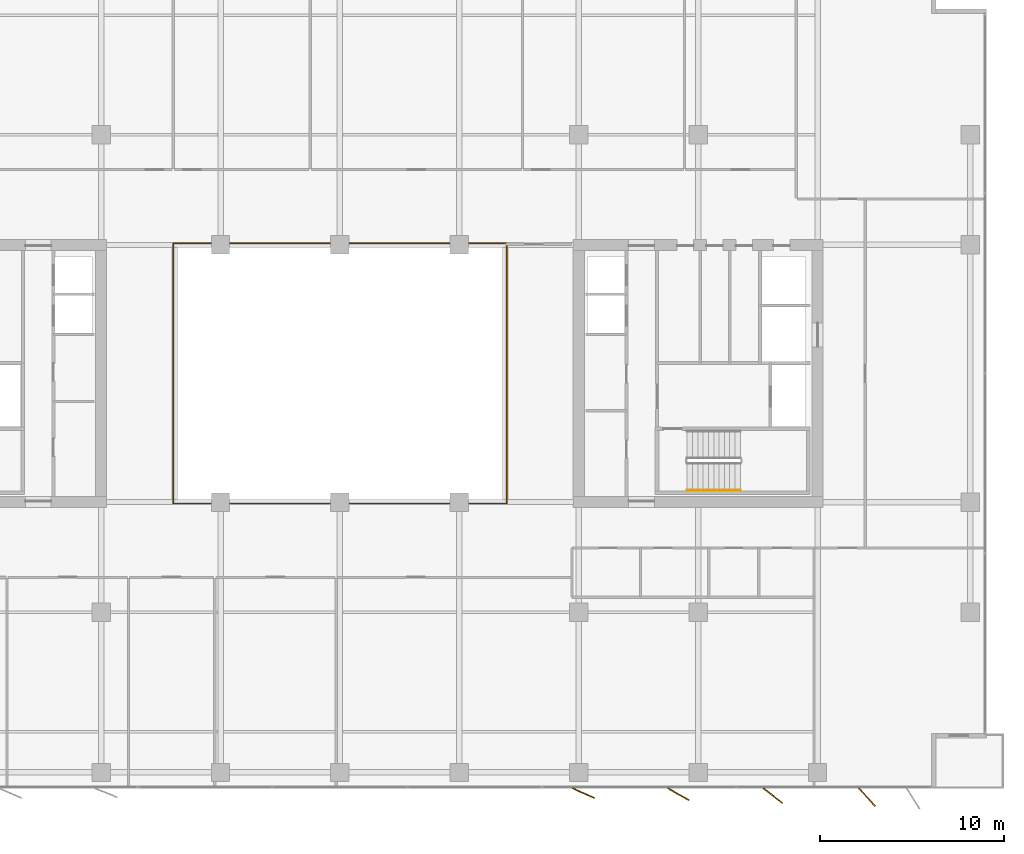
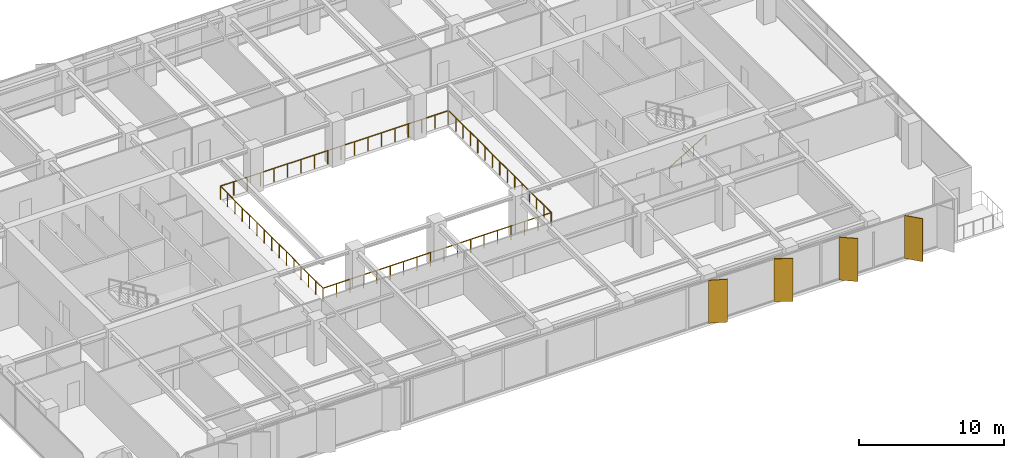
# One storey, part 20 of 22: 4 shading devices, 3 railings.
"""IFC4 building model written with IfcOpenShell, lengths in metres."""

from ifc_helpers import new_model, si_unit, direction, frame, origin, origin_2d, place, context, subcontext, project, spatial, rectangle, circle, extrude, material, layer, layer_set, type_object, element, save


model = new_model("IFC4")

# Units and contexts
model_context = context("Model", 3, precision=1e-05, world=origin(), true_north=direction((0.0, 1.0)))
body_context = subcontext(model_context, "Body", "Model", "MODEL_VIEW")
ifc_project = project(units=[si_unit("LENGTHUNIT", "METRE"), si_unit("AREAUNIT", "SQUARE_METRE"), si_unit("VOLUMEUNIT", "CUBIC_METRE"), si_unit("PLANEANGLEUNIT", "RADIAN"), si_unit("MASSUNIT", "GRAM", prefix="KILO")], contexts=[model_context])

# Site, building, storey
site_placement = place(None, origin())
site = spatial("IfcSite", under=ifc_project, at=site_placement, CompositionType="ELEMENT")
building_placement = place(site_placement, origin())
building = spatial("IfcBuilding", under=site, at=building_placement, Name="Putna Gate Headquarters", CompositionType="ELEMENT")
storey_placement = place(building_placement, frame((0.0, 0.0, 174.60009765625)))
storey = spatial("IfcBuildingStorey", under=building, at=storey_placement, Name="L43", CompositionType="ELEMENT", Elevation=174.60009765625)

# Railings
ifc_material_1 = material(Name="Anodised bronze and laminated glass atrium balustrade", Category="glass")
railing_type_1 = type_object("IfcRailingType", Name="RAIL-ATRIUM-GUARD-1150", PredefinedType="GUARDRAIL", material=ifc_material_1)
railing_1_placement = place(storey_placement, frame((29.919921875, 25.969970703125, 0.0)))
element("IfcRailing", 1, at=railing_1_placement, inside=storey, type_object=railing_type_1, Name="L43 Central Atrium Glazed Balustrade South", PredefinedType="GUARDRAIL", context=body_context, shape_type="SweptSolid", body=[
    extrude(circle(Radius=0.02392578125, at=origin_2d()), frame((0.0, 0.0, 1.1259765625), z_axis=(0.0, -1.0, 0.0), x_axis=(1.0, 0.0, 0.0)), (0.0, 0.0, 1.0), 7.050048828125),
    extrude(circle(Radius=0.02392578125, at=origin_2d()), frame((0.0, -7.050048828125, 1.1259765625), z_axis=(1.0, 0.0, 0.0), x_axis=(0.0, 1.0, 0.0)), (0.0, 0.0, 1.0), 18.16015625),
    extrude(circle(Radius=0.02392578125, at=origin_2d()), frame((18.16015625, -7.050048828125, 1.1259765625), z_axis=(0.0, 1.0, 0.0), x_axis=(-1.0, 0.0, 0.0)), (0.0, 0.0, 1.0), 7.050048828125),
    extrude(circle(Radius=0.02099609375, at=origin_2d()), origin(), (0.0, 0.0, 1.0), 1.101806640625),
    extrude(circle(Radius=0.02099609375, at=origin_2d()), frame((0.0, -1.007080078125, 0.0)), (0.0, 0.0, 1.0), 1.101806640625),
    extrude(circle(Radius=0.02099609375, at=origin_2d()), frame((0.0, -2.014404296875, 0.0)), (0.0, 0.0, 1.0), 1.101806640625),
    extrude(circle(Radius=0.02099609375, at=origin_2d()), frame((0.0, -3.021484375, 0.0)), (0.0, 0.0, 1.0), 1.101806640625),
    extrude(circle(Radius=0.02099609375, at=origin_2d()), frame((0.0, -4.028564453125, 0.0)), (0.0, 0.0, 1.0), 1.101806640625),
    extrude(circle(Radius=0.02099609375, at=origin_2d()), frame((0.0, -5.03564453125, 0.0)), (0.0, 0.0, 1.0), 1.101806640625),
    extrude(circle(Radius=0.02099609375, at=origin_2d()), frame((0.0, -6.04296875, 0.0)), (0.0, 0.0, 1.0), 1.101806640625),
    extrude(circle(Radius=0.02099609375, at=origin_2d()), frame((0.0, -7.050048828125, 0.0)), (0.0, 0.0, 1.0), 1.101806640625),
    extrude(circle(Radius=0.02099609375, at=origin_2d()), frame((1.068359375, -7.050048828125, 0.0)), (0.0, 0.0, 1.0), 1.101806640625),
    extrude(circle(Radius=0.02099609375, at=origin_2d()), frame((2.136474609375, -7.050048828125, 0.0)), (0.0, 0.0, 1.0), 1.101806640625),
    extrude(circle(Radius=0.02099609375, at=origin_2d()), frame((3.204833984375, -7.050048828125, 0.0)), (0.0, 0.0, 1.0), 1.101806640625),
    extrude(circle(Radius=0.02099609375, at=origin_2d()), frame((4.27294921875, -7.050048828125, 0.0)), (0.0, 0.0, 1.0), 1.101806640625),
    extrude(circle(Radius=0.02099609375, at=origin_2d()), frame((5.34130859375, -7.050048828125, 0.0)), (0.0, 0.0, 1.0), 1.101806640625),
    extrude(circle(Radius=0.02099609375, at=origin_2d()), frame((6.409423828125, -7.050048828125, 0.0)), (0.0, 0.0, 1.0), 1.101806640625),
    extrude(circle(Radius=0.02099609375, at=origin_2d()), frame((7.477783203125, -7.050048828125, 0.0)), (0.0, 0.0, 1.0), 1.101806640625),
    extrude(circle(Radius=0.02099609375, at=origin_2d()), frame((8.5458984375, -7.050048828125, 0.0)), (0.0, 0.0, 1.0), 1.101806640625),
    extrude(circle(Radius=0.02099609375, at=origin_2d()), frame((9.6142578125, -7.050048828125, 0.0)), (0.0, 0.0, 1.0), 1.101806640625),
    extrude(circle(Radius=0.02099609375, at=origin_2d()), frame((10.682373046875, -7.050048828125, 0.0)), (0.0, 0.0, 1.0), 1.101806640625),
    extrude(circle(Radius=0.02099609375, at=origin_2d()), frame((11.750732421875, -7.050048828125, 0.0)), (0.0, 0.0, 1.0), 1.101806640625),
    extrude(circle(Radius=0.02099609375, at=origin_2d()), frame((12.81884765625, -7.050048828125, 0.0)), (0.0, 0.0, 1.0), 1.101806640625),
    extrude(circle(Radius=0.02099609375, at=origin_2d()), frame((13.88720703125, -7.050048828125, 0.0)), (0.0, 0.0, 1.0), 1.101806640625),
    extrude(circle(Radius=0.02099609375, at=origin_2d()), frame((14.955322265625, -7.050048828125, 0.0)), (0.0, 0.0, 1.0), 1.101806640625),
    extrude(circle(Radius=0.02099609375, at=origin_2d()), frame((16.023681640625, -7.050048828125, 0.0)), (0.0, 0.0, 1.0), 1.101806640625),
    extrude(circle(Radius=0.02099609375, at=origin_2d()), frame((17.091796875, -7.050048828125, 0.0)), (0.0, 0.0, 1.0), 1.101806640625),
    extrude(circle(Radius=0.02099609375, at=origin_2d()), frame((18.16015625, -7.050048828125, 0.0)), (0.0, 0.0, 1.0), 1.101806640625),
    extrude(circle(Radius=0.02099609375, at=origin_2d()), frame((18.16015625, -6.04296875, 0.0)), (0.0, 0.0, 1.0), 1.101806640625),
    extrude(circle(Radius=0.02099609375, at=origin_2d()), frame((18.16015625, -5.03564453125, 0.0)), (0.0, 0.0, 1.0), 1.101806640625),
    extrude(circle(Radius=0.02099609375, at=origin_2d()), frame((18.16015625, -4.028564453125, 0.0)), (0.0, 0.0, 1.0), 1.101806640625),
    extrude(circle(Radius=0.02099609375, at=origin_2d()), frame((18.16015625, -3.021484375, 0.0)), (0.0, 0.0, 1.0), 1.101806640625),
    extrude(circle(Radius=0.02099609375, at=origin_2d()), frame((18.16015625, -2.014404296875, 0.0)), (0.0, 0.0, 1.0), 1.101806640625),
    extrude(circle(Radius=0.02099609375, at=origin_2d()), frame((18.16015625, -1.007080078125, 0.0)), (0.0, 0.0, 1.0), 1.101806640625),
    extrude(circle(Radius=0.02099609375, at=origin_2d()), frame((18.16015625, 0.0, 0.0)), (0.0, 0.0, 1.0), 1.101806640625),
])
railing_2_placement = place(storey_placement, frame((48.080078125, 26.030029296875, 0.0)))
element("IfcRailing", 2, at=railing_2_placement, inside=storey, type_object=railing_type_1, Name="L43 Central Atrium Glazed Balustrade North", PredefinedType="GUARDRAIL", context=body_context, shape_type="SweptSolid", body=[
    extrude(circle(Radius=0.02392578125, at=origin_2d()), frame((0.0, 0.0, 1.1259765625), z_axis=(0.0, 1.0, 0.0), x_axis=(-1.0, 0.0, 0.0)), (0.0, 0.0, 1.0), 7.050048828125),
    extrude(circle(Radius=0.02392578125, at=origin_2d()), frame((0.0, 7.050048828125, 1.1259765625), z_axis=(-1.0, 0.0, 0.0), x_axis=(0.0, -1.0, 0.0)), (0.0, 0.0, 1.0), 18.16015625),
    extrude(circle(Radius=0.02392578125, at=origin_2d()), frame((-18.16015625, 7.050048828125, 1.1259765625), z_axis=(0.0, -1.0, 0.0), x_axis=(1.0, 0.0, 0.0)), (0.0, 0.0, 1.0), 7.050048828125),
    extrude(circle(Radius=0.02099609375, at=origin_2d()), origin(), (0.0, 0.0, 1.0), 1.101806640625),
    extrude(circle(Radius=0.02099609375, at=origin_2d()), frame((0.0, 1.007080078125, 0.0)), (0.0, 0.0, 1.0), 1.101806640625),
    extrude(circle(Radius=0.02099609375, at=origin_2d()), frame((0.0, 2.014404296875, 0.0)), (0.0, 0.0, 1.0), 1.101806640625),
    extrude(circle(Radius=0.02099609375, at=origin_2d()), frame((0.0, 3.021484375, 0.0)), (0.0, 0.0, 1.0), 1.101806640625),
    extrude(circle(Radius=0.02099609375, at=origin_2d()), frame((0.0, 4.028564453125, 0.0)), (0.0, 0.0, 1.0), 1.101806640625),
    extrude(circle(Radius=0.02099609375, at=origin_2d()), frame((0.0, 5.03564453125, 0.0)), (0.0, 0.0, 1.0), 1.101806640625),
    extrude(circle(Radius=0.02099609375, at=origin_2d()), frame((0.0, 6.04296875, 0.0)), (0.0, 0.0, 1.0), 1.101806640625),
    extrude(circle(Radius=0.02099609375, at=origin_2d()), frame((0.0, 7.050048828125, 0.0)), (0.0, 0.0, 1.0), 1.101806640625),
    extrude(circle(Radius=0.02099609375, at=origin_2d()), frame((-1.068359375, 7.050048828125, 0.0)), (0.0, 0.0, 1.0), 1.101806640625),
    extrude(circle(Radius=0.02099609375, at=origin_2d()), frame((-2.136474609375, 7.050048828125, 0.0)), (0.0, 0.0, 1.0), 1.101806640625),
    extrude(circle(Radius=0.02099609375, at=origin_2d()), frame((-3.204833984375, 7.050048828125, 0.0)), (0.0, 0.0, 1.0), 1.101806640625),
    extrude(circle(Radius=0.02099609375, at=origin_2d()), frame((-4.27294921875, 7.050048828125, 0.0)), (0.0, 0.0, 1.0), 1.101806640625),
    extrude(circle(Radius=0.02099609375, at=origin_2d()), frame((-5.34130859375, 7.050048828125, 0.0)), (0.0, 0.0, 1.0), 1.101806640625),
    extrude(circle(Radius=0.02099609375, at=origin_2d()), frame((-6.409423828125, 7.050048828125, 0.0)), (0.0, 0.0, 1.0), 1.101806640625),
    extrude(circle(Radius=0.02099609375, at=origin_2d()), frame((-7.477783203125, 7.050048828125, 0.0)), (0.0, 0.0, 1.0), 1.101806640625),
    extrude(circle(Radius=0.02099609375, at=origin_2d()), frame((-8.5458984375, 7.050048828125, 0.0)), (0.0, 0.0, 1.0), 1.101806640625),
    extrude(circle(Radius=0.02099609375, at=origin_2d()), frame((-9.6142578125, 7.050048828125, 0.0)), (0.0, 0.0, 1.0), 1.101806640625),
    extrude(circle(Radius=0.02099609375, at=origin_2d()), frame((-10.682373046875, 7.050048828125, 0.0)), (0.0, 0.0, 1.0), 1.101806640625),
    extrude(circle(Radius=0.02099609375, at=origin_2d()), frame((-11.750732421875, 7.050048828125, 0.0)), (0.0, 0.0, 1.0), 1.101806640625),
    extrude(circle(Radius=0.02099609375, at=origin_2d()), frame((-12.81884765625, 7.050048828125, 0.0)), (0.0, 0.0, 1.0), 1.101806640625),
    extrude(circle(Radius=0.02099609375, at=origin_2d()), frame((-13.88720703125, 7.050048828125, 0.0)), (0.0, 0.0, 1.0), 1.101806640625),
    extrude(circle(Radius=0.02099609375, at=origin_2d()), frame((-14.955322265625, 7.050048828125, 0.0)), (0.0, 0.0, 1.0), 1.101806640625),
    extrude(circle(Radius=0.02099609375, at=origin_2d()), frame((-16.023681640625, 7.050048828125, 0.0)), (0.0, 0.0, 1.0), 1.101806640625),
    extrude(circle(Radius=0.02099609375, at=origin_2d()), frame((-17.091796875, 7.050048828125, 0.0)), (0.0, 0.0, 1.0), 1.101806640625),
    extrude(circle(Radius=0.02099609375, at=origin_2d()), frame((-18.16015625, 7.050048828125, 0.0)), (0.0, 0.0, 1.0), 1.101806640625),
    extrude(circle(Radius=0.02099609375, at=origin_2d()), frame((-18.16015625, 6.04296875, 0.0)), (0.0, 0.0, 1.0), 1.101806640625),
    extrude(circle(Radius=0.02099609375, at=origin_2d()), frame((-18.16015625, 5.03564453125, 0.0)), (0.0, 0.0, 1.0), 1.101806640625),
    extrude(circle(Radius=0.02099609375, at=origin_2d()), frame((-18.16015625, 4.028564453125, 0.0)), (0.0, 0.0, 1.0), 1.101806640625),
    extrude(circle(Radius=0.02099609375, at=origin_2d()), frame((-18.16015625, 3.021484375, 0.0)), (0.0, 0.0, 1.0), 1.101806640625),
    extrude(circle(Radius=0.02099609375, at=origin_2d()), frame((-18.16015625, 2.014404296875, 0.0)), (0.0, 0.0, 1.0), 1.101806640625),
    extrude(circle(Radius=0.02099609375, at=origin_2d()), frame((-18.16015625, 1.007080078125, 0.0)), (0.0, 0.0, 1.0), 1.101806640625),
    extrude(circle(Radius=0.02099609375, at=origin_2d()), frame((-18.16015625, 0.0, 0.0)), (0.0, 0.0, 1.0), 1.101806640625),
])
ifc_material_2 = material(Name="Brushed stainless steel handrail", Category="steel")
railing_type_2 = type_object("IfcRailingType", Name="RAIL-STAIR-HAND-900", PredefinedType="HANDRAIL", material=ifc_material_2)
railing_3_placement = place(storey_placement, frame((57.89990234375, 19.64990234375, 0.172607421875)))
element("IfcRailing", 3, at=railing_3_placement, inside=storey, type_object=railing_type_2, Name="L43 ST2 stair handrail 1", PredefinedType="HANDRAIL", context=body_context, shape_type="SweptSolid", body=[
    extrude(circle(Radius=0.02392578125, at=origin_2d()), frame((0.0, 0.0, 0.8759765625), z_axis=(0.859160404282, 0.0, 0.51170636083), x_axis=(0.0, 1.0, 0.0)), (0.0, 0.0, 1.0), 3.37548828125),
    extrude(circle(Radius=0.02099609375, at=origin_2d()), origin(), (0.0, 0.0, 1.0), 0.851806640625),
    extrude(circle(Radius=0.02099609375, at=origin_2d()), frame((0.966796875, 0.0, 0.57568359375)), (0.0, 0.0, 1.0), 0.851806640625),
    extrude(circle(Radius=0.02099609375, at=origin_2d()), frame((1.933349609375, 0.0, 1.151611328125)), (0.0, 0.0, 1.0), 0.851806640625),
    extrude(circle(Radius=0.02099609375, at=origin_2d()), frame((2.900146484375, 0.0, 1.727294921875)), (0.0, 0.0, 1.0), 0.851806640625),
])

# Shading devices
ifc_material_3 = material(Name="Anodised architectural bronze aluminium fin", Category="aluminium")
ifc_layer = layer(ifc_material_3, 0.06494140625)
ifc_layer_set = layer_set([ifc_layer], Name="Anodised architectural bronze aluminium fin")
shading_device_type = type_object("IfcShadingDeviceType", Name="SHADE-BRONZE-FIN-1320", PredefinedType="USERDEFINED", material=ifc_layer_set)
for number, where, z_axis, x_axis, name in (
    (4, (52.2529296875, 3.15673828125, -0.02001953125), (0.0, 0.0, 1.0), (0.913687379856, -0.40641773078, 0.0), "L43 Bronze Vertical Shading Fin S7"),
    (5, (57.423828125, 3.098876953125, -0.02001953125), (0.0, 0.0, 1.0), (0.869322458298, -0.494245347472, 0.0), "L43 Bronze Vertical Shading Fin S8"),
    (6, (62.569580078125, 3.018310546875, -0.02001953125), (0.0, 0.0, 1.0), (0.787473187632, -0.616348909921, 0.0), "L43 Bronze Vertical Shading Fin S9"),
    (7, (67.691650390625, 2.9345703125, -0.02001953125), (0.0, 0.0, 1.0), (0.669130606359, -0.743144825477, 0.0), "L43 Bronze Vertical Shading Fin S10"),
):
    element("IfcShadingDevice", number, at=place(storey_placement, frame(where, z_axis=z_axis, x_axis=x_axis)), inside=storey, type_object=shading_device_type, Name=name, ObjectType="FIN", PredefinedType="USERDEFINED", context=body_context, shape_type="SweptSolid", body=[
        extrude(rectangle(XDim=1.320068359375, YDim=0.06494140625, at=origin_2d()), origin(), (0.0, 0.0, 1.0), 3.612060546875),
    ])

save(model, "model.ifc")
